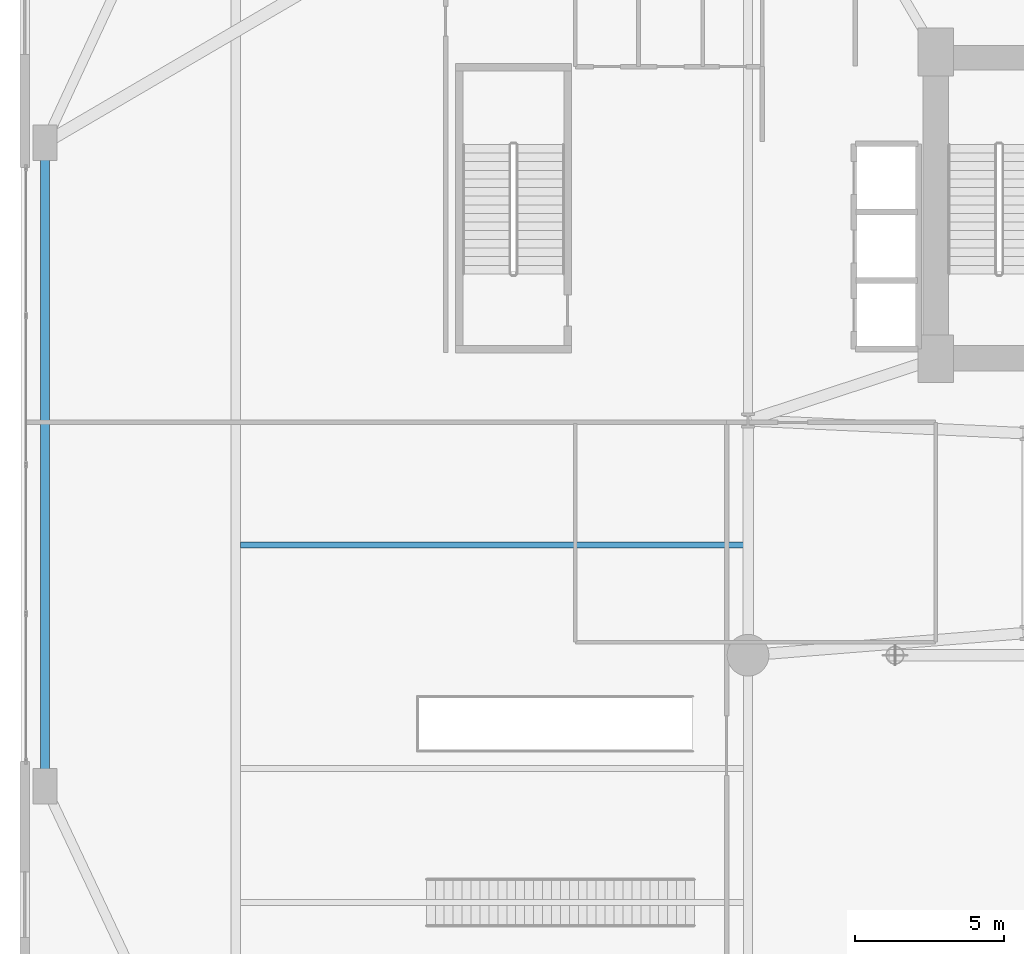
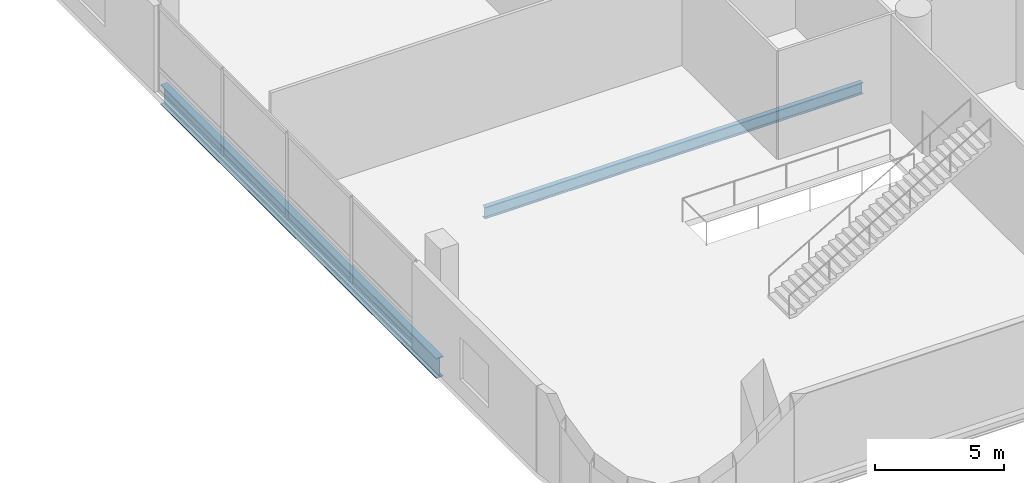
# One storey, part 7 of 36: 2 beams.
"""IFC4 building model written with IfcOpenShell, lengths in metres."""

from ifc_helpers import new_model, si_unit, direction, frame, origin, origin_2d, place, context, subcontext, project, spatial, i_section, extrude, material, material_profile, profile_set, type_object, element, save


model = new_model("IFC4")

# Units and contexts
model_context = context("Model", 3, precision=1e-05, world=origin(), true_north=direction((0.0, 1.0)))
body_context = subcontext(model_context, "Body", "Model", "MODEL_VIEW")
ifc_project = project(units=[si_unit("LENGTHUNIT", "METRE"), si_unit("AREAUNIT", "SQUARE_METRE"), si_unit("VOLUMEUNIT", "CUBIC_METRE"), si_unit("PLANEANGLEUNIT", "RADIAN"), si_unit("MASSUNIT", "GRAM", prefix="KILO")], contexts=[model_context])

# Site, building, storey
site_placement = place(None, origin())
site = spatial("IfcSite", under=ifc_project, at=site_placement, CompositionType="ELEMENT")
building_placement = place(site_placement, origin())
building = spatial("IfcBuilding", under=site, at=building_placement, Name="Varnelok Gate Tower", CompositionType="ELEMENT")
storey_placement = place(building_placement, frame((0.0, 0.0, 10.800048828125)))
storey = spatial("IfcBuildingStorey", under=building, at=storey_placement, Name="L02", CompositionType="ELEMENT", Elevation=10.800048828125)

# Beams
ifc_material = material(Name="Structural Steel ASTM A992 Grade 50", Category="steel")
ifc_material_profile_1 = material_profile(ifc_material, i_section(OverallWidth=0.2119140625, OverallDepth=0.5439453125, WebThickness=0.01318359375, FlangeThickness=0.021240234375, FilletRadius=0.01611328125, at=origin_2d()), Name="W21X83")
ifc_profile_set_1 = profile_set([ifc_material_profile_1], Name="Structural Steel ASTM A992 Grade 50")
beam_type_1 = type_object("IfcBeamType", Name="BM-JST-W21X83", PredefinedType="JOIST", material=ifc_profile_set_1)
beam_1_placement = place(storey_placement, frame((7.360107421875, 22.5, -0.552001953125), z_axis=(1.0, 0.0, 0.0), x_axis=(0.0, 1.0, 0.0)))
element("IfcBeam", 1, at=beam_1_placement, inside=storey, type_object=beam_type_1, Name="L02 Podium Floor Joist", PredefinedType="JOIST", context=body_context, shape_type="SweptSolid", body=[
    extrude(i_section(OverallWidth=0.2119140625, OverallDepth=0.5439453125, WebThickness=0.01318359375, FlangeThickness=0.021240234375, FilletRadius=0.01611328125, at=origin_2d()), origin(), (0.0, 0.0, 1.0), 16.8798828125),
])
ifc_material_profile_2 = material_profile(ifc_material, i_section(OverallWidth=0.30810546875, OverallDepth=0.943115234375, WebThickness=0.022216796875, FlangeThickness=0.039794921875, FilletRadius=0.02587890625, at=origin_2d()), Name="W36X232")
ifc_profile_set_2 = profile_set([ifc_material_profile_2], Name="Structural Steel ASTM A992 Grade 50")
beam_type_2 = type_object("IfcBeamType", Name="BM-PRI-W36X232", PredefinedType="BEAM", material=ifc_profile_set_2)
beam_2_placement = place(storey_placement, frame((0.800048828125, 14.5400390625, -0.75146484375), z_axis=(0.0, 1.0, 0.0), x_axis=(-1.0, 0.0, 0.0)))
element("IfcBeam", 2, at=beam_2_placement, inside=storey, type_object=beam_type_2, Name="L02 Podium Primary Girder 6", PredefinedType="BEAM", context=body_context, shape_type="SweptSolid", body=[
    extrude(i_section(OverallWidth=0.30810546875, OverallDepth=0.943115234375, WebThickness=0.022216796875, FlangeThickness=0.039794921875, FilletRadius=0.02587890625, at=origin_2d()), origin(), (0.0, 0.0, 1.0), 21.320068359375),
])

save(model, "model.ifc")
